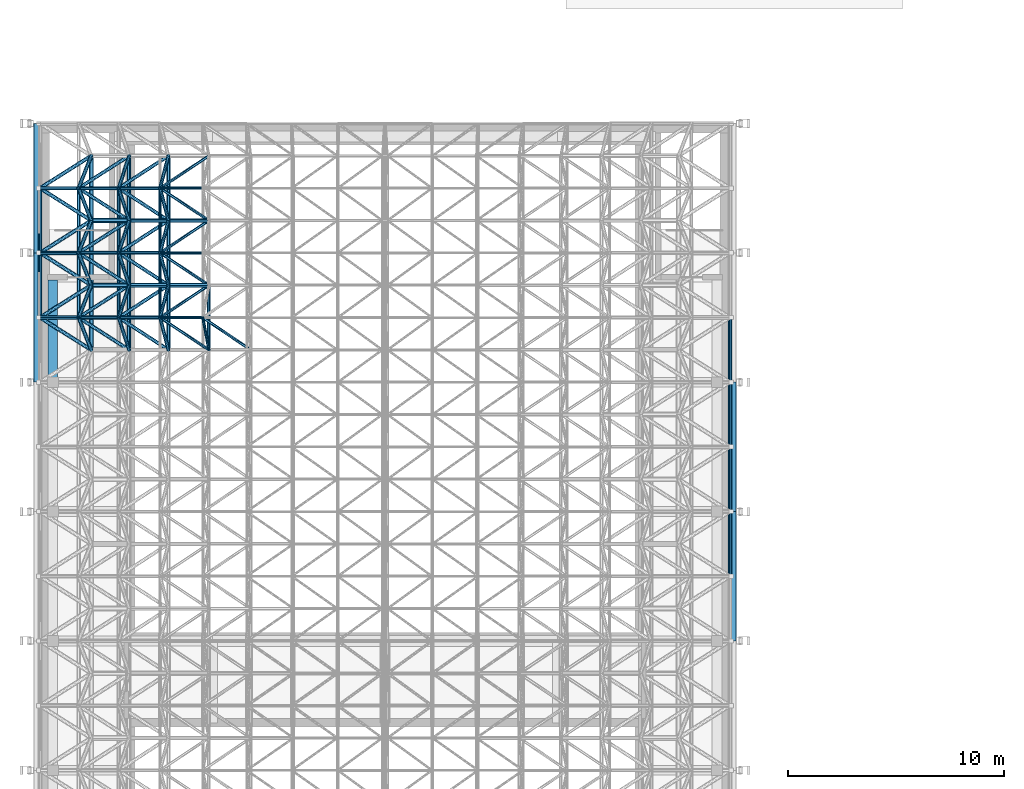
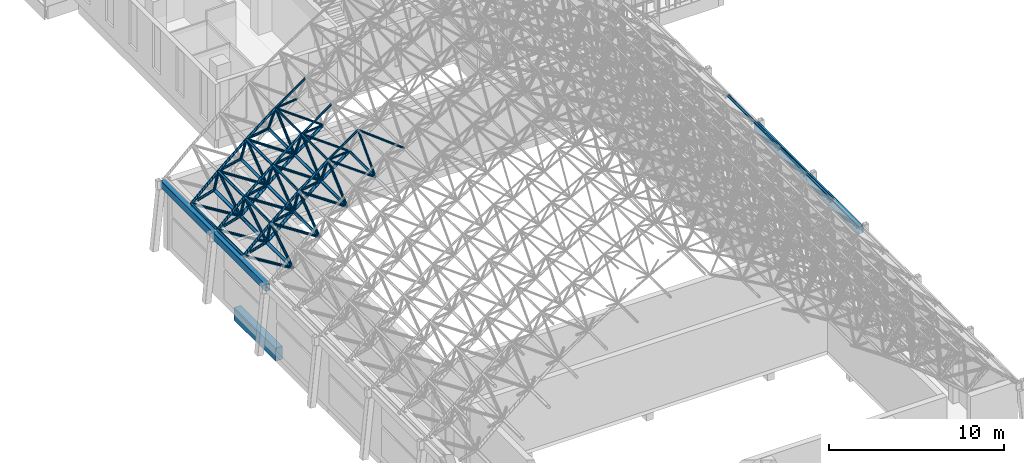
# One storey, part 24 of 141: 84 members, 5 beams.
"""IFC4 building model written with IfcOpenShell, lengths in metres."""

from ifc_helpers import new_model, si_unit, direction, frame, origin, origin_2d, place, context, subcontext, project, spatial, rectangle, hollow_rectangle, hollow_circle, extrude, material, material_profile, profile_set, type_object, element, save


model = new_model("IFC4")

# Units and contexts
model_context = context("Model", 3, precision=1e-05, world=origin(), true_north=direction((0.0, 1.0)))
body_context = subcontext(model_context, "Body", "Model", "MODEL_VIEW")
ifc_project = project(units=[si_unit("LENGTHUNIT", "METRE"), si_unit("AREAUNIT", "SQUARE_METRE"), si_unit("VOLUMEUNIT", "CUBIC_METRE"), si_unit("PLANEANGLEUNIT", "RADIAN"), si_unit("MASSUNIT", "GRAM", prefix="KILO")], contexts=[model_context])

# Site, building, storey
site_placement = place(None, origin())
site = spatial("IfcSite", under=ifc_project, at=site_placement, CompositionType="ELEMENT")
building_placement = place(site_placement, origin())
building = spatial("IfcBuilding", under=site, at=building_placement, Name="Lantern Court Media Centre", CompositionType="ELEMENT")
storey_placement = place(building_placement, frame((0.0, 0.0, 9.60009765625)))
storey = spatial("IfcBuildingStorey", under=building, at=storey_placement, Name="L02", CompositionType="ELEMENT", Elevation=9.60009765625)

# Members
ifc_material_1 = material(Name="Steel S355J2 (EN 10025-2)", Category="steel")
ifc_material_profile_1 = material_profile(ifc_material_1, hollow_circle(Radius=0.084228515625, WallThickness=0.008056640625, at=origin_2d()), Name="Cinema Hall bottom CHS 168.3x8")
ifc_profile_set_1 = profile_set([ifc_material_profile_1], Name="Steel S355J2 (EN 10025-2)")
member_type_1 = type_object("IfcMemberType", Name="Cinema Hall bottom CHS 168.3x8", PredefinedType="CHORD", material=ifc_profile_set_1)
member_1_placement = place(storey_placement, frame((7.837646484375, 29.5, 8.463623046875), z_axis=(0.0, 1.0, 0.0), x_axis=(-1.0, 0.0, 0.0)))
element("IfcMember", 1, at=member_1_placement, inside=storey, type_object=member_type_1, Name="Cinema Hall bottom chord 04-11", PredefinedType="CHORD", context=body_context, shape_type="SweptSolid", body=[
    extrude(hollow_circle(Radius=0.084228515625, WallThickness=0.008056640625, at=origin_2d()), origin(), (0.0, 0.0, 1.0), 3.0),
])
ifc_material_profile_2 = material_profile(ifc_material_1, hollow_circle(Radius=0.096923828125, WallThickness=0.010009765625, at=origin_2d()), Name="Cinema Hall bottom CHS 193.7x10")
ifc_profile_set_2 = profile_set([ifc_material_profile_2], Name="Steel S355J2 (EN 10025-2)")
member_type_2 = type_object("IfcMemberType", Name="Cinema Hall bottom CHS 193.7x10", PredefinedType="CHORD", material=ifc_profile_set_2)
for number, where, z_axis, x_axis, name in (
    (2, (4.1376953125, 29.5, 5.57275390625), (0.0, 1.0, 0.0), (-1.0, 0.0, 0.0), "Cinema Hall bottom chord 02-11"),
    (3, (4.1376953125, 32.5, 5.57275390625), (0.0, 1.0, 0.0), (-1.0, 0.0, 0.0), "Cinema Hall bottom chord 02-12"),
    (4, (4.1376953125, 35.5, 5.57275390625), (0.0, 1.0, 0.0), (-1.0, 0.0, 0.0), "Cinema Hall bottom chord 02-13"),
):
    element("IfcMember", number, at=place(storey_placement, frame(where, z_axis=z_axis, x_axis=x_axis)), inside=storey, type_object=member_type_2, Name=name, PredefinedType="CHORD", context=body_context, shape_type="SweptSolid", body=[
        extrude(hollow_circle(Radius=0.096923828125, WallThickness=0.010009765625, at=origin_2d()), origin(), (0.0, 0.0, 1.0), 3.0),
    ])
for number, where, z_axis, x_axis, name in (
    (5, (4.1376953125, 32.5, 5.57275390625), (0.775340578175, 0.0, 0.63154333805), (0.0, 1.0, 0.0), "Cinema Hall bottom chord 02-12 across"),
    (6, (4.1376953125, 35.5, 5.57275390625), (0.775340578175, 0.0, 0.63154333805), (0.0, 1.0, 0.0), "Cinema Hall bottom chord 02-13 across"),
):
    element("IfcMember", number, at=place(storey_placement, frame(where, z_axis=z_axis, x_axis=x_axis)), inside=storey, type_object=member_type_2, Name=name, PredefinedType="CHORD", context=body_context, shape_type="SweptSolid", body=[
        extrude(hollow_circle(Radius=0.096923828125, WallThickness=0.010009765625, at=origin_2d()), origin(), (0.0, 0.0, 1.0), 2.34814453125),
    ])
ifc_material_profile_3 = material_profile(ifc_material_1, hollow_circle(Radius=0.096923828125, WallThickness=0.008056640625, at=origin_2d()), Name="Cinema Hall bottom CHS 193.7x8")
ifc_profile_set_3 = profile_set([ifc_material_profile_3], Name="Steel S355J2 (EN 10025-2)")
member_type_3 = type_object("IfcMemberType", Name="Cinema Hall bottom CHS 193.7x8", PredefinedType="CHORD", material=ifc_profile_set_3)
for number, where, z_axis, x_axis, name in (
    (7, (5.958251953125, 29.5, 7.0556640625), (0.0, 1.0, 0.0), (-1.0, 0.0, 0.0), "Cinema Hall bottom chord 03-11"),
    (8, (5.958251953125, 32.5, 7.0556640625), (0.0, 1.0, 0.0), (-1.0, 0.0, 0.0), "Cinema Hall bottom chord 03-12"),
    (9, (5.958251953125, 35.5, 7.0556640625), (0.0, 1.0, 0.0), (-1.0, 0.0, 0.0), "Cinema Hall bottom chord 03-13"),
):
    element("IfcMember", number, at=place(storey_placement, frame(where, z_axis=z_axis, x_axis=x_axis)), inside=storey, type_object=member_type_3, Name=name, PredefinedType="CHORD", context=body_context, shape_type="SweptSolid", body=[
        extrude(hollow_circle(Radius=0.096923828125, WallThickness=0.008056640625, at=origin_2d()), origin(), (0.0, 0.0, 1.0), 3.0),
    ])
for number, where, z_axis, x_axis, name in (
    (10, (5.958251953125, 32.5, 7.0556640625), (0.800324254575, 0.0, 0.599567417009), (0.0, 1.0, 0.0), "Cinema Hall bottom chord 03-12 across"),
    (11, (5.958251953125, 35.5, 7.0556640625), (0.800324254575, 0.0, 0.599567417009), (0.0, 1.0, 0.0), "Cinema Hall bottom chord 03-13 across"),
):
    element("IfcMember", number, at=place(storey_placement, frame(where, z_axis=z_axis, x_axis=x_axis)), inside=storey, type_object=member_type_3, Name=name, PredefinedType="CHORD", context=body_context, shape_type="SweptSolid", body=[
        extrude(hollow_circle(Radius=0.096923828125, WallThickness=0.008056640625, at=origin_2d()), origin(), (0.0, 0.0, 1.0), 2.348388671875),
    ])
ifc_material_profile_4 = material_profile(ifc_material_1, hollow_circle(Radius=0.109619140625, WallThickness=0.010009765625, at=origin_2d()), Name="Cinema Hall bottom CHS 219.1x10")
ifc_profile_set_4 = profile_set([ifc_material_profile_4], Name="Steel S355J2 (EN 10025-2)")
member_type_4 = type_object("IfcMemberType", Name="Cinema Hall bottom CHS 219.1x10", PredefinedType="CHORD", material=ifc_profile_set_4)
for number, where, z_axis, x_axis, name in (
    (12, (2.378662109375, 29.5, 4.016845703125), (0.0, 1.0, 0.0), (-1.0, 0.0, 0.0), "Cinema Hall bottom chord 01-11"),
    (13, (2.378662109375, 32.5, 4.016845703125), (0.0, 1.0, 0.0), (-1.0, 0.0, 0.0), "Cinema Hall bottom chord 01-12"),
    (14, (2.378662109375, 35.5, 4.016845703125), (0.0, 1.0, 0.0), (-1.0, 0.0, 0.0), "Cinema Hall bottom chord 01-13"),
):
    element("IfcMember", number, at=place(storey_placement, frame(where, z_axis=z_axis, x_axis=x_axis)), inside=storey, type_object=member_type_4, Name=name, PredefinedType="CHORD", context=body_context, shape_type="SweptSolid", body=[
        extrude(hollow_circle(Radius=0.109619140625, WallThickness=0.010009765625, at=origin_2d()), origin(), (0.0, 0.0, 1.0), 3.0),
    ])
for number, where, z_axis, x_axis, name in (
    (15, (2.378662109375, 32.5, 4.016845703125), (0.749030294531, 0.0, 0.662535748375), (0.0, 1.0, 0.0), "Cinema Hall bottom chord 01-12 across"),
    (16, (2.378662109375, 35.5, 4.016845703125), (0.749030294531, 0.0, 0.662535748375), (0.0, 1.0, 0.0), "Cinema Hall bottom chord 01-13 across"),
):
    element("IfcMember", number, at=place(storey_placement, frame(where, z_axis=z_axis, x_axis=x_axis)), inside=storey, type_object=member_type_4, Name=name, PredefinedType="CHORD", context=body_context, shape_type="SweptSolid", body=[
        extrude(hollow_circle(Radius=0.109619140625, WallThickness=0.010009765625, at=origin_2d()), origin(), (0.0, 0.0, 1.0), 2.348388671875),
    ])
ifc_material_profile_5 = material_profile(ifc_material_1, hollow_circle(Radius=0.06982421875, WallThickness=0.00634765625, at=origin_2d()), Name="Cinema Hall diagonal CHS 139.7x6.3")
ifc_profile_set_5 = profile_set([ifc_material_profile_5], Name="Steel S355J2 (EN 10025-2)")
member_type_5 = type_object("IfcMemberType", Name="Cinema Hall diagonal CHS 139.7x6.3", PredefinedType="BRACE", material=ifc_profile_set_5)
member_2_placement = place(storey_placement, frame((9.772705078125, 29.5, 9.7939453125), z_axis=(-0.760744068819, 0.513853513503, 0.396513591718), x_axis=(-0.559735691147, -0.828671199003, 0.0)))
element("IfcMember", 17, at=member_2_placement, inside=storey, type_object=member_type_5, Name="Cinema Hall diagonal 05-11-4", PredefinedType="BRACE", context=body_context, shape_type="SweptSolid", body=[
    extrude(hollow_circle(Radius=0.06982421875, WallThickness=0.00634765625, at=origin_2d()), origin(), (0.0, 0.0, 1.0), 2.919189453125),
])
ifc_material_profile_6 = material_profile(ifc_material_1, hollow_circle(Radius=0.06982421875, WallThickness=0.008056640625, at=origin_2d()), Name="Cinema Hall diagonal CHS 139.7x8")
ifc_profile_set_6 = profile_set([ifc_material_profile_6], Name="Steel S355J2 (EN 10025-2)")
member_type_6 = type_object("IfcMemberType", Name="Cinema Hall diagonal CHS 139.7x8", PredefinedType="BRACE", material=ifc_profile_set_6)
member_3_placement = place(storey_placement, frame((7.837646484375, 29.5, 8.463623046875), z_axis=(-0.09785614588, 0.51387022247, 0.852268484207), x_axis=(-0.982346962135, -0.187068025016, 0.0)))
element("IfcMember", 18, at=member_3_placement, inside=storey, type_object=member_type_6, Name="Cinema Hall diagonal 04-11-3", PredefinedType="BRACE", context=body_context, shape_type="SweptSolid", body=[
    extrude(hollow_circle(Radius=0.06982421875, WallThickness=0.008056640625, at=origin_2d()), origin(), (0.0, 0.0, 1.0), 2.9189453125),
])
for number, where, z_axis, x_axis, name in (
    (19, (7.837646484375, 29.5, 8.463623046875), (-0.776210877705, 0.513849761084, 0.365315064521), (-0.552001963744, -0.833842810141, 0.0), "Cinema Hall diagonal 04-11-4"),
    (20, (7.837646484375, 32.5, 8.463623046875), (-0.776210877705, -0.513849761084, 0.365315064521), (0.552001963744, -0.833842810141, 0.0), "Cinema Hall diagonal 04-12-1"),
    (21, (7.837646484375, 32.5, 8.463623046875), (-0.776210877705, 0.513849761084, 0.365315064521), (-0.552001963744, -0.833842810141, 0.0), "Cinema Hall diagonal 04-12-4"),
    (22, (7.837646484375, 35.5, 8.463623046875), (-0.776210877705, -0.513849761084, 0.365315064521), (0.552001963744, -0.833842810141, 0.0), "Cinema Hall diagonal 04-13-1"),
    (23, (7.837646484375, 35.5, 8.463623046875), (-0.776210877705, 0.513849761084, 0.365315064521), (-0.552001963744, -0.833842810141, 0.0), "Cinema Hall diagonal 04-13-4"),
    (24, (7.837646484375, 38.5, 8.463623046875), (-0.776210877705, -0.513849761084, 0.365315064521), (0.552001963744, -0.833842810141, 0.0), "Cinema Hall diagonal 04-14-1"),
):
    element("IfcMember", number, at=place(storey_placement, frame(where, z_axis=z_axis, x_axis=x_axis)), inside=storey, type_object=member_type_6, Name=name, PredefinedType="BRACE", context=body_context, shape_type="SweptSolid", body=[
        extrude(hollow_circle(Radius=0.06982421875, WallThickness=0.008056640625, at=origin_2d()), origin(), (0.0, 0.0, 1.0), 2.919189453125),
    ])
ifc_material_profile_7 = material_profile(ifc_material_1, hollow_circle(Radius=0.084228515625, WallThickness=0.010009765625, at=origin_2d()), Name="Cinema Hall diagonal CHS 168.3x10")
ifc_profile_set_7 = profile_set([ifc_material_profile_7], Name="Steel S355J2 (EN 10025-2)")
member_type_7 = type_object("IfcMemberType", Name="Cinema Hall diagonal CHS 168.3x10", PredefinedType="BRACE", material=ifc_profile_set_7)
member_4_placement = place(storey_placement, frame((4.1376953125, 29.5, 5.57275390625), z_axis=(-0.166695380465, 0.513886812634, 0.841506383774), x_axis=(-0.951206854862, -0.308553916299, 0.0)))
element("IfcMember", 25, at=member_4_placement, inside=storey, type_object=member_type_7, Name="Cinema Hall diagonal 02-11-3", PredefinedType="BRACE", context=body_context, shape_type="SweptSolid", body=[
    extrude(hollow_circle(Radius=0.084228515625, WallThickness=0.010009765625, at=origin_2d()), origin(), (0.0, 0.0, 1.0), 2.9189453125),
])
for number, where, z_axis, x_axis, name in (
    (26, (4.1376953125, 29.5, 5.57275390625), (-0.803309435106, 0.513850408047, 0.301084223465), (-0.538854579896, -0.842398802068, 0.0), "Cinema Hall diagonal 02-11-4"),
    (27, (4.1376953125, 32.5, 5.57275390625), (-0.803309435106, -0.513850408047, 0.301084223465), (0.538854579896, -0.842398802068, 0.0), "Cinema Hall diagonal 02-12-1"),
):
    element("IfcMember", number, at=place(storey_placement, frame(where, z_axis=z_axis, x_axis=x_axis)), inside=storey, type_object=member_type_7, Name=name, PredefinedType="BRACE", context=body_context, shape_type="SweptSolid", body=[
        extrude(hollow_circle(Radius=0.084228515625, WallThickness=0.010009765625, at=origin_2d()), origin(), (0.0, 0.0, 1.0), 2.919189453125),
    ])
for number, where, z_axis, x_axis, name in (
    (28, (4.1376953125, 32.5, 5.57275390625), (-0.166695380465, -0.513886812634, 0.841506383774), (0.951206854862, -0.308553916299, 0.0), "Cinema Hall diagonal 02-12-2"),
    (29, (4.1376953125, 32.5, 5.57275390625), (-0.166695380465, 0.513886812634, 0.841506383774), (-0.951206854862, -0.308553916299, 0.0), "Cinema Hall diagonal 02-12-3"),
):
    element("IfcMember", number, at=place(storey_placement, frame(where, z_axis=z_axis, x_axis=x_axis)), inside=storey, type_object=member_type_7, Name=name, PredefinedType="BRACE", context=body_context, shape_type="SweptSolid", body=[
        extrude(hollow_circle(Radius=0.084228515625, WallThickness=0.010009765625, at=origin_2d()), origin(), (0.0, 0.0, 1.0), 2.9189453125),
    ])
for number, where, z_axis, x_axis, name in (
    (30, (4.1376953125, 32.5, 5.57275390625), (-0.803309435106, 0.513850408047, 0.301084223465), (-0.538854579896, -0.842398802068, 0.0), "Cinema Hall diagonal 02-12-4"),
    (31, (4.1376953125, 35.5, 5.57275390625), (-0.803309435106, -0.513850408047, 0.301084223465), (0.538854579896, -0.842398802068, 0.0), "Cinema Hall diagonal 02-13-1"),
):
    element("IfcMember", number, at=place(storey_placement, frame(where, z_axis=z_axis, x_axis=x_axis)), inside=storey, type_object=member_type_7, Name=name, PredefinedType="BRACE", context=body_context, shape_type="SweptSolid", body=[
        extrude(hollow_circle(Radius=0.084228515625, WallThickness=0.010009765625, at=origin_2d()), origin(), (0.0, 0.0, 1.0), 2.919189453125),
    ])
for number, where, z_axis, x_axis, name in (
    (32, (4.1376953125, 35.5, 5.57275390625), (-0.166695380465, -0.513886812634, 0.841506383774), (0.951206854862, -0.308553916299, 0.0), "Cinema Hall diagonal 02-13-2"),
    (33, (4.1376953125, 35.5, 5.57275390625), (-0.166695380465, 0.513886812634, 0.841506383774), (-0.951206854862, -0.308553916299, 0.0), "Cinema Hall diagonal 02-13-3"),
):
    element("IfcMember", number, at=place(storey_placement, frame(where, z_axis=z_axis, x_axis=x_axis)), inside=storey, type_object=member_type_7, Name=name, PredefinedType="BRACE", context=body_context, shape_type="SweptSolid", body=[
        extrude(hollow_circle(Radius=0.084228515625, WallThickness=0.010009765625, at=origin_2d()), origin(), (0.0, 0.0, 1.0), 2.9189453125),
    ])
for number, where, z_axis, x_axis, name in (
    (34, (4.1376953125, 35.5, 5.57275390625), (-0.803309435106, 0.513850408047, 0.301084223465), (-0.538854579896, -0.842398802068, 0.0), "Cinema Hall diagonal 02-13-4"),
    (35, (4.1376953125, 38.5, 5.57275390625), (-0.803309435106, -0.513850408047, 0.301084223465), (0.538854579896, -0.842398802068, 0.0), "Cinema Hall diagonal 02-14-1"),
):
    element("IfcMember", number, at=place(storey_placement, frame(where, z_axis=z_axis, x_axis=x_axis)), inside=storey, type_object=member_type_7, Name=name, PredefinedType="BRACE", context=body_context, shape_type="SweptSolid", body=[
        extrude(hollow_circle(Radius=0.084228515625, WallThickness=0.010009765625, at=origin_2d()), origin(), (0.0, 0.0, 1.0), 2.919189453125),
    ])
member_5_placement = place(storey_placement, frame((4.1376953125, 38.5, 5.57275390625), z_axis=(-0.166695380465, -0.513886812634, 0.841506383774), x_axis=(0.951206854862, -0.308553916299, 0.0)))
element("IfcMember", 36, at=member_5_placement, inside=storey, type_object=member_type_7, Name="Cinema Hall diagonal 02-14-2", PredefinedType="BRACE", context=body_context, shape_type="SweptSolid", body=[
    extrude(hollow_circle(Radius=0.084228515625, WallThickness=0.010009765625, at=origin_2d()), origin(), (0.0, 0.0, 1.0), 2.9189453125),
])
ifc_material_profile_8 = material_profile(ifc_material_1, hollow_circle(Radius=0.084228515625, WallThickness=0.008056640625, at=origin_2d()), Name="Cinema Hall diagonal CHS 168.3x8")
ifc_profile_set_8 = profile_set([ifc_material_profile_8], Name="Steel S355J2 (EN 10025-2)")
member_type_8 = type_object("IfcMemberType", Name="Cinema Hall diagonal CHS 168.3x8", PredefinedType="BRACE", material=ifc_profile_set_8)
member_6_placement = place(storey_placement, frame((5.958251953125, 29.5, 7.0556640625), z_axis=(-0.132389678542, 0.513835871739, 0.847611744804), x_axis=(-0.968374432366, -0.249501420318, 0.0)))
element("IfcMember", 37, at=member_6_placement, inside=storey, type_object=member_type_8, Name="Cinema Hall diagonal 03-11-3", PredefinedType="BRACE", context=body_context, shape_type="SweptSolid", body=[
    extrude(hollow_circle(Radius=0.084228515625, WallThickness=0.008056640625, at=origin_2d()), origin(), (0.0, 0.0, 1.0), 2.919189453125),
])
for number, where, z_axis, x_axis, name in (
    (38, (5.958251953125, 29.5, 7.0556640625), (-0.790394065187, 0.513881601747, 0.333471019884), (-0.545081898441, -0.838382802777, 0.0), "Cinema Hall diagonal 03-11-4"),
    (39, (5.958251953125, 32.5, 7.0556640625), (-0.790394065187, -0.513881601747, 0.333471019884), (0.545081898441, -0.838382802777, 0.0), "Cinema Hall diagonal 03-12-1"),
):
    element("IfcMember", number, at=place(storey_placement, frame(where, z_axis=z_axis, x_axis=x_axis)), inside=storey, type_object=member_type_8, Name=name, PredefinedType="BRACE", context=body_context, shape_type="SweptSolid", body=[
        extrude(hollow_circle(Radius=0.084228515625, WallThickness=0.008056640625, at=origin_2d()), origin(), (0.0, 0.0, 1.0), 2.9189453125),
    ])
for number, where, z_axis, x_axis, name in (
    (40, (5.958251953125, 32.5, 7.0556640625), (-0.132389678542, -0.513835871739, 0.847611744804), (0.968374432366, -0.249501420318, 0.0), "Cinema Hall diagonal 03-12-2"),
    (41, (5.958251953125, 32.5, 7.0556640625), (-0.132389678542, 0.513835871739, 0.847611744804), (-0.968374432366, -0.249501420318, 0.0), "Cinema Hall diagonal 03-12-3"),
):
    element("IfcMember", number, at=place(storey_placement, frame(where, z_axis=z_axis, x_axis=x_axis)), inside=storey, type_object=member_type_8, Name=name, PredefinedType="BRACE", context=body_context, shape_type="SweptSolid", body=[
        extrude(hollow_circle(Radius=0.084228515625, WallThickness=0.008056640625, at=origin_2d()), origin(), (0.0, 0.0, 1.0), 2.919189453125),
    ])
for number, where, z_axis, x_axis, name in (
    (42, (5.958251953125, 32.5, 7.0556640625), (-0.790394065187, 0.513881601747, 0.333471019884), (-0.545081898441, -0.838382802777, 0.0), "Cinema Hall diagonal 03-12-4"),
    (43, (5.958251953125, 35.5, 7.0556640625), (-0.790394065187, -0.513881601747, 0.333471019884), (0.545081898441, -0.838382802777, 0.0), "Cinema Hall diagonal 03-13-1"),
):
    element("IfcMember", number, at=place(storey_placement, frame(where, z_axis=z_axis, x_axis=x_axis)), inside=storey, type_object=member_type_8, Name=name, PredefinedType="BRACE", context=body_context, shape_type="SweptSolid", body=[
        extrude(hollow_circle(Radius=0.084228515625, WallThickness=0.008056640625, at=origin_2d()), origin(), (0.0, 0.0, 1.0), 2.9189453125),
    ])
for number, where, z_axis, x_axis, name in (
    (44, (5.958251953125, 35.5, 7.0556640625), (-0.132389678542, -0.513835871739, 0.847611744804), (0.968374432366, -0.249501420318, 0.0), "Cinema Hall diagonal 03-13-2"),
    (45, (5.958251953125, 35.5, 7.0556640625), (-0.132389678542, 0.513835871739, 0.847611744804), (-0.968374432366, -0.249501420318, 0.0), "Cinema Hall diagonal 03-13-3"),
):
    element("IfcMember", number, at=place(storey_placement, frame(where, z_axis=z_axis, x_axis=x_axis)), inside=storey, type_object=member_type_8, Name=name, PredefinedType="BRACE", context=body_context, shape_type="SweptSolid", body=[
        extrude(hollow_circle(Radius=0.084228515625, WallThickness=0.008056640625, at=origin_2d()), origin(), (0.0, 0.0, 1.0), 2.919189453125),
    ])
for number, where, z_axis, x_axis, name in (
    (46, (5.958251953125, 35.5, 7.0556640625), (-0.790394065187, 0.513881601747, 0.333471019884), (-0.545081898441, -0.838382802777, 0.0), "Cinema Hall diagonal 03-13-4"),
    (47, (5.958251953125, 38.5, 7.0556640625), (-0.790394065187, -0.513881601747, 0.333471019884), (0.545081898441, -0.838382802777, 0.0), "Cinema Hall diagonal 03-14-1"),
):
    element("IfcMember", number, at=place(storey_placement, frame(where, z_axis=z_axis, x_axis=x_axis)), inside=storey, type_object=member_type_8, Name=name, PredefinedType="BRACE", context=body_context, shape_type="SweptSolid", body=[
        extrude(hollow_circle(Radius=0.084228515625, WallThickness=0.008056640625, at=origin_2d()), origin(), (0.0, 0.0, 1.0), 2.9189453125),
    ])
member_7_placement = place(storey_placement, frame((5.958251953125, 38.5, 7.0556640625), z_axis=(-0.132389678542, -0.513835871739, 0.847611744804), x_axis=(0.968374432366, -0.249501420318, 0.0)))
element("IfcMember", 48, at=member_7_placement, inside=storey, type_object=member_type_8, Name="Cinema Hall diagonal 03-14-2", PredefinedType="BRACE", context=body_context, shape_type="SweptSolid", body=[
    extrude(hollow_circle(Radius=0.084228515625, WallThickness=0.008056640625, at=origin_2d()), origin(), (0.0, 0.0, 1.0), 2.919189453125),
])
ifc_material_profile_9 = material_profile(ifc_material_1, hollow_circle(Radius=0.0888671875, WallThickness=0.010009765625, at=origin_2d()), Name="Cinema Hall diagonal CHS 177.8x10")
ifc_profile_set_9 = profile_set([ifc_material_profile_9], Name="Steel S355J2 (EN 10025-2)")
member_type_9 = type_object("IfcMemberType", Name="Cinema Hall diagonal CHS 177.8x10", PredefinedType="BRACE", material=ifc_profile_set_9)
for number, where, z_axis, x_axis, name in (
    (49, (2.378662109375, 29.5, 4.016845703125), (-0.200719513512, 0.513841954591, 0.834073211773), (-0.93145734948, -0.36385052714, 0.0), "Cinema Hall diagonal 01-11-3"),
    (50, (2.378662109375, 29.5, 4.016845703125), (-0.814865608485, 0.513859622142, 0.268220671909), (-0.533404912089, -0.845860035561, 0.0), "Cinema Hall diagonal 01-11-4"),
    (51, (2.378662109375, 32.5, 4.016845703125), (-0.814865608485, -0.513859622142, 0.268220671909), (0.533404912089, -0.845860035561, 0.0), "Cinema Hall diagonal 01-12-1"),
    (52, (2.378662109375, 32.5, 4.016845703125), (-0.200719513512, -0.513841954591, 0.834073211773), (0.93145734948, -0.36385052714, 0.0), "Cinema Hall diagonal 01-12-2"),
    (53, (2.378662109375, 32.5, 4.016845703125), (-0.200719513512, 0.513841954591, 0.834073211773), (-0.93145734948, -0.36385052714, 0.0), "Cinema Hall diagonal 01-12-3"),
    (54, (2.378662109375, 32.5, 4.016845703125), (-0.814865608485, 0.513859622142, 0.268220671909), (-0.533404912089, -0.845860035561, 0.0), "Cinema Hall diagonal 01-12-4"),
    (55, (2.378662109375, 35.5, 4.016845703125), (-0.814865608485, -0.513859622142, 0.268220671909), (0.533404912089, -0.845860035561, 0.0), "Cinema Hall diagonal 01-13-1"),
    (56, (2.378662109375, 35.5, 4.016845703125), (-0.200719513512, -0.513841954591, 0.834073211773), (0.93145734948, -0.36385052714, 0.0), "Cinema Hall diagonal 01-13-2"),
    (57, (2.378662109375, 35.5, 4.016845703125), (-0.200719513512, 0.513841954591, 0.834073211773), (-0.93145734948, -0.36385052714, 0.0), "Cinema Hall diagonal 01-13-3"),
    (58, (2.378662109375, 35.5, 4.016845703125), (-0.814865608485, 0.513859622142, 0.268220671909), (-0.533404912089, -0.845860035561, 0.0), "Cinema Hall diagonal 01-13-4"),
    (59, (2.378662109375, 38.5, 4.016845703125), (-0.814865608485, -0.513859622142, 0.268220671909), (0.533404912089, -0.845860035561, 0.0), "Cinema Hall diagonal 01-14-1"),
    (60, (2.378662109375, 38.5, 4.016845703125), (-0.200719513512, -0.513841954591, 0.834073211773), (0.93145734948, -0.36385052714, 0.0), "Cinema Hall diagonal 01-14-2"),
):
    element("IfcMember", number, at=place(storey_placement, frame(where, z_axis=z_axis, x_axis=x_axis)), inside=storey, type_object=member_type_9, Name=name, PredefinedType="BRACE", context=body_context, shape_type="SweptSolid", body=[
        extrude(hollow_circle(Radius=0.0888671875, WallThickness=0.010009765625, at=origin_2d()), origin(), (0.0, 0.0, 1.0), 2.919189453125),
    ])

# Beams
ifc_material_profile_10 = material_profile(ifc_material_1, hollow_rectangle(XDim=0.300048828125, YDim=0.5, WallThickness=0.01611328125, InnerFilletRadius=0.01611328125, OuterFilletRadius=0.02392578125, at=origin_2d()), Name="Cinema Hall edge girder RHS 500x300x16")
ifc_profile_set_10 = profile_set([ifc_material_profile_10], Name="Steel S355J2 (EN 10025-2)")
beam_type_1 = type_object("IfcBeamType", Name="Cinema Hall edge girder RHS 500x300x16", PredefinedType="BEAM", material=ifc_profile_set_10)
for number, where, z_axis, x_axis, name in (
    (61, (-0.14990234375, 28.0, 4.449951171875), (0.0, 1.0, 0.0), (-1.0, 0.0, 0.0), "Cinema Hall edge girder west 6"),
    (62, (-0.14990234375, 34.0, 4.449951171875), (0.0, 1.0, 0.0), (-1.0, 0.0, 0.0), "Cinema Hall edge girder west 7"),
    (63, (32.14990234375, 16.0, 4.449951171875), (0.0, 1.0, 0.0), (-1.0, 0.0, 0.0), "Cinema Hall edge girder east 4"),
    (64, (32.14990234375, 22.0, 4.449951171875), (0.0, 1.0, 0.0), (-1.0, 0.0, 0.0), "Cinema Hall edge girder east 5"),
):
    element("IfcBeam", number, at=place(storey_placement, frame(where, z_axis=z_axis, x_axis=x_axis)), inside=storey, type_object=beam_type_1, Name=name, PredefinedType="BEAM", context=body_context, shape_type="SweptSolid", body=[
        extrude(hollow_rectangle(XDim=0.300048828125, YDim=0.5, WallThickness=0.01611328125, InnerFilletRadius=0.01611328125, OuterFilletRadius=0.02392578125, at=origin_2d()), origin(), (0.0, 0.0, 1.0), 6.0),
    ])

# Members
ifc_material_profile_11 = material_profile(ifc_material_1, hollow_circle(Radius=0.06982421875, WallThickness=0.008056640625, at=origin_2d()), Name="Cinema Hall top CHS 139.7x8")
ifc_profile_set_11 = profile_set([ifc_material_profile_11], Name="Steel S355J2 (EN 10025-2)")
member_type_10 = type_object("IfcMemberType", Name="Cinema Hall top CHS 139.7x8", PredefinedType="CHORD", material=ifc_profile_set_11)
for number, where, z_axis, x_axis, name in (
    (65, (5.57177734375, 31.0, 9.530029296875), (0.0, 1.0, 0.0), (-1.0, 0.0, 0.0), "Cinema Hall top chord 04-12"),
    (66, (5.57177734375, 34.0, 9.530029296875), (0.0, 1.0, 0.0), (-1.0, 0.0, 0.0), "Cinema Hall top chord 04-13"),
):
    element("IfcMember", number, at=place(storey_placement, frame(where, z_axis=z_axis, x_axis=x_axis)), inside=storey, type_object=member_type_10, Name=name, PredefinedType="CHORD", context=body_context, shape_type="SweptSolid", body=[
        extrude(hollow_circle(Radius=0.06982421875, WallThickness=0.008056640625, at=origin_2d()), origin(), (0.0, 0.0, 1.0), 3.0),
    ])
for number, where, z_axis, x_axis, name in (
    (67, (5.57177734375, 31.0, 9.530029296875), (0.812384562891, 0.0, 0.583122047239), (0.0, 1.0, 0.0), "Cinema Hall top chord 04-12 across"),
    (68, (5.57177734375, 34.0, 9.530029296875), (0.812384562891, 0.0, 0.583122047239), (0.0, 1.0, 0.0), "Cinema Hall top chord 04-13 across"),
    (69, (5.57177734375, 37.0, 9.530029296875), (0.812384562891, 0.0, 0.583122047239), (0.0, 1.0, 0.0), "Cinema Hall top chord 04-14 across"),
):
    element("IfcMember", number, at=place(storey_placement, frame(where, z_axis=z_axis, x_axis=x_axis)), inside=storey, type_object=member_type_10, Name=name, PredefinedType="CHORD", context=body_context, shape_type="SweptSolid", body=[
        extrude(hollow_circle(Radius=0.06982421875, WallThickness=0.008056640625, at=origin_2d()), origin(), (0.0, 0.0, 1.0), 2.4375),
    ])
ifc_material_profile_12 = material_profile(ifc_material_1, hollow_circle(Radius=0.084228515625, WallThickness=0.010009765625, at=origin_2d()), Name="Cinema Hall top CHS 168.3x10")
ifc_profile_set_12 = profile_set([ifc_material_profile_12], Name="Steel S355J2 (EN 10025-2)")
member_type_11 = type_object("IfcMemberType", Name="Cinema Hall top CHS 168.3x10", PredefinedType="CHORD", material=ifc_profile_set_12)
for number, where, z_axis, x_axis, name in (
    (70, (1.792724609375, 31.0, 6.45166015625), (0.0, 1.0, 0.0), (-1.0, 0.0, 0.0), "Cinema Hall top chord 02-12"),
    (71, (1.792724609375, 34.0, 6.45166015625), (0.0, 1.0, 0.0), (-1.0, 0.0, 0.0), "Cinema Hall top chord 02-13"),
):
    element("IfcMember", number, at=place(storey_placement, frame(where, z_axis=z_axis, x_axis=x_axis)), inside=storey, type_object=member_type_11, Name=name, PredefinedType="CHORD", context=body_context, shape_type="SweptSolid", body=[
        extrude(hollow_circle(Radius=0.084228515625, WallThickness=0.010009765625, at=origin_2d()), origin(), (0.0, 0.0, 1.0), 3.0),
    ])
for number, where, z_axis, x_axis, name in (
    (72, (1.792724609375, 31.0, 6.45166015625), (0.762393833283, 0.0, 0.647113315403), (0.0, 1.0, 0.0), "Cinema Hall top chord 02-12 across"),
    (73, (1.792724609375, 34.0, 6.45166015625), (0.762393833283, 0.0, 0.647113315403), (0.0, 1.0, 0.0), "Cinema Hall top chord 02-13 across"),
    (74, (1.792724609375, 37.0, 6.45166015625), (0.762393833283, 0.0, 0.647113315403), (0.0, 1.0, 0.0), "Cinema Hall top chord 02-14 across"),
):
    element("IfcMember", number, at=place(storey_placement, frame(where, z_axis=z_axis, x_axis=x_axis)), inside=storey, type_object=member_type_11, Name=name, PredefinedType="CHORD", context=body_context, shape_type="SweptSolid", body=[
        extrude(hollow_circle(Radius=0.084228515625, WallThickness=0.010009765625, at=origin_2d()), origin(), (0.0, 0.0, 1.0), 2.4375),
    ])
ifc_material_profile_13 = material_profile(ifc_material_1, hollow_circle(Radius=0.084228515625, WallThickness=0.008056640625, at=origin_2d()), Name="Cinema Hall top CHS 168.3x8")
ifc_profile_set_13 = profile_set([ifc_material_profile_13], Name="Steel S355J2 (EN 10025-2)")
member_type_12 = type_object("IfcMemberType", Name="Cinema Hall top CHS 168.3x8", PredefinedType="CHORD", material=ifc_profile_set_13)
for number, where, z_axis, x_axis, name in (
    (75, (3.651123046875, 31.0, 8.029052734375), (0.0, 1.0, 0.0), (-1.0, 0.0, 0.0), "Cinema Hall top chord 03-12"),
    (76, (3.651123046875, 34.0, 8.029052734375), (0.0, 1.0, 0.0), (-1.0, 0.0, 0.0), "Cinema Hall top chord 03-13"),
):
    element("IfcMember", number, at=place(storey_placement, frame(where, z_axis=z_axis, x_axis=x_axis)), inside=storey, type_object=member_type_12, Name=name, PredefinedType="CHORD", context=body_context, shape_type="SweptSolid", body=[
        extrude(hollow_circle(Radius=0.084228515625, WallThickness=0.008056640625, at=origin_2d()), origin(), (0.0, 0.0, 1.0), 3.0),
    ])
for number, where, z_axis, x_axis, name in (
    (77, (3.651123046875, 31.0, 8.029052734375), (0.787931739718, 0.0, 0.615762595117), (0.0, 1.0, 0.0), "Cinema Hall top chord 03-12 across"),
    (78, (3.651123046875, 34.0, 8.029052734375), (0.787931739718, 0.0, 0.615762595117), (0.0, 1.0, 0.0), "Cinema Hall top chord 03-13 across"),
    (79, (3.651123046875, 37.0, 8.029052734375), (0.787931739718, 0.0, 0.615762595117), (0.0, 1.0, 0.0), "Cinema Hall top chord 03-14 across"),
):
    element("IfcMember", number, at=place(storey_placement, frame(where, z_axis=z_axis, x_axis=x_axis)), inside=storey, type_object=member_type_12, Name=name, PredefinedType="CHORD", context=body_context, shape_type="SweptSolid", body=[
        extrude(hollow_circle(Radius=0.084228515625, WallThickness=0.008056640625, at=origin_2d()), origin(), (0.0, 0.0, 1.0), 2.4375),
    ])
ifc_material_profile_14 = material_profile(ifc_material_1, hollow_circle(Radius=0.0888671875, WallThickness=0.010009765625, at=origin_2d()), Name="Cinema Hall top CHS 177.8x10")
ifc_profile_set_14 = profile_set([ifc_material_profile_14], Name="Steel S355J2 (EN 10025-2)")
member_type_13 = type_object("IfcMemberType", Name="Cinema Hall top CHS 177.8x10", PredefinedType="CHORD", material=ifc_profile_set_14)
for number, where, z_axis, x_axis, name in (
    (80, (32.0, 19.0, 4.7998046875), (0.0, 1.0, 0.0), (-1.0, 0.0, 0.0), "Cinema Hall top chord 17-08"),
    (81, (32.0, 22.0, 4.7998046875), (0.0, 1.0, 0.0), (-1.0, 0.0, 0.0), "Cinema Hall top chord 17-09"),
    (82, (32.0, 25.0, 4.7998046875), (0.0, 1.0, 0.0), (-1.0, 0.0, 0.0), "Cinema Hall top chord 17-10"),
    (83, (32.0, 28.0, 4.7998046875), (0.0, 1.0, 0.0), (-1.0, 0.0, 0.0), "Cinema Hall top chord 17-11"),
    (84, (0.0, 31.0, 4.7998046875), (0.0, 1.0, 0.0), (-1.0, 0.0, 0.0), "Cinema Hall top chord 01-12"),
    (85, (0.0, 34.0, 4.7998046875), (0.0, 1.0, 0.0), (-1.0, 0.0, 0.0), "Cinema Hall top chord 01-13"),
):
    element("IfcMember", number, at=place(storey_placement, frame(where, z_axis=z_axis, x_axis=x_axis)), inside=storey, type_object=member_type_13, Name=name, PredefinedType="CHORD", context=body_context, shape_type="SweptSolid", body=[
        extrude(hollow_circle(Radius=0.0888671875, WallThickness=0.010009765625, at=origin_2d()), origin(), (0.0, 0.0, 1.0), 3.0),
    ])
for number, where, z_axis, x_axis, name in (
    (86, (0.0, 31.0, 4.7998046875), (0.735409817039, 0.0, 0.677622609572), (0.0, 1.0, 0.0), "Cinema Hall top chord 01-12 across"),
    (87, (0.0, 34.0, 4.7998046875), (0.735409817039, 0.0, 0.677622609572), (0.0, 1.0, 0.0), "Cinema Hall top chord 01-13 across"),
    (88, (0.0, 37.0, 4.7998046875), (0.735409817039, 0.0, 0.677622609572), (0.0, 1.0, 0.0), "Cinema Hall top chord 01-14 across"),
):
    element("IfcMember", number, at=place(storey_placement, frame(where, z_axis=z_axis, x_axis=x_axis)), inside=storey, type_object=member_type_13, Name=name, PredefinedType="CHORD", context=body_context, shape_type="SweptSolid", body=[
        extrude(hollow_circle(Radius=0.0888671875, WallThickness=0.010009765625, at=origin_2d()), origin(), (0.0, 0.0, 1.0), 2.437744140625),
    ])

# Beam
ifc_material_2 = material(Name="Concrete C35", Category="concrete")
ifc_material_profile_15 = material_profile(ifc_material_2, rectangle(XDim=0.449951171875, YDim=0.89990234375, at=origin_2d()), Name="RC 450x900")
ifc_profile_set_15 = profile_set([ifc_material_profile_15], Name="Concrete C35")
beam_type_2 = type_object("IfcBeamType", Name="RC BEAM 450x900", PredefinedType="BEAM", material=ifc_profile_set_15)
beam_placement = place(storey_placement, frame((0.60009765625, 28.0, -0.4501953125), z_axis=(0.0, 1.0, 0.0), x_axis=(-1.0, 0.0, 0.0)))
element("IfcBeam", 89, at=beam_placement, inside=storey, type_object=beam_type_2, Name="HB-V1-L02-FY0-5", PredefinedType="BEAM", context=body_context, shape_type="SweptSolid", body=[
    extrude(rectangle(XDim=0.449951171875, YDim=0.89990234375, at=origin_2d()), origin(), (0.0, 0.0, 1.0), 4.75),
])

save(model, "model.ifc")
